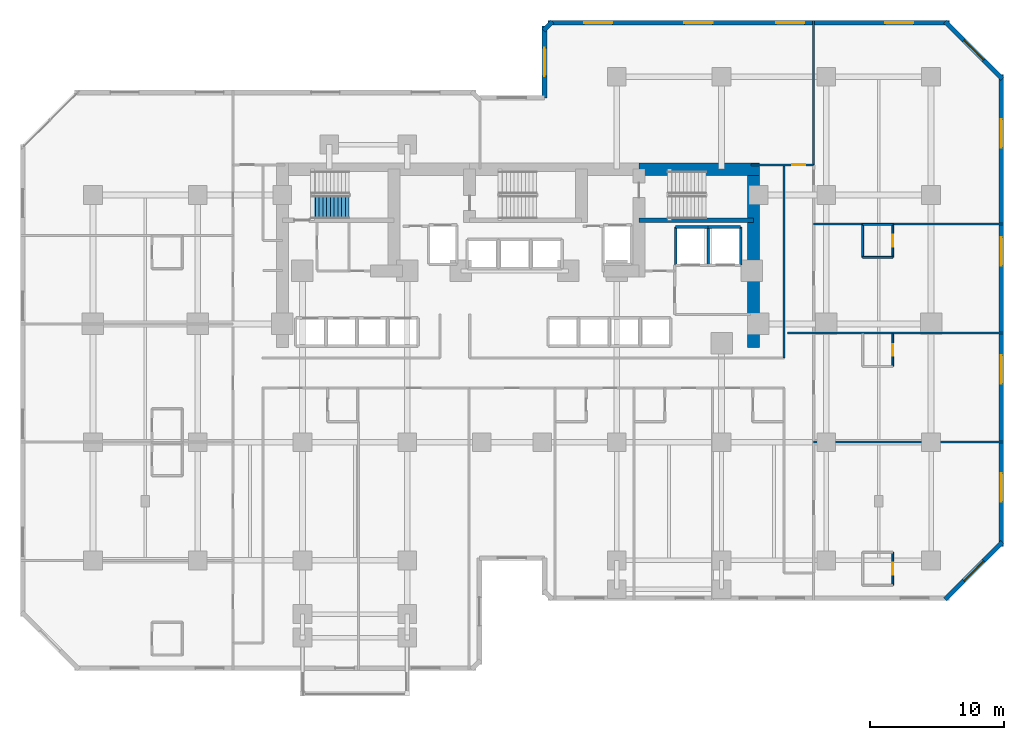
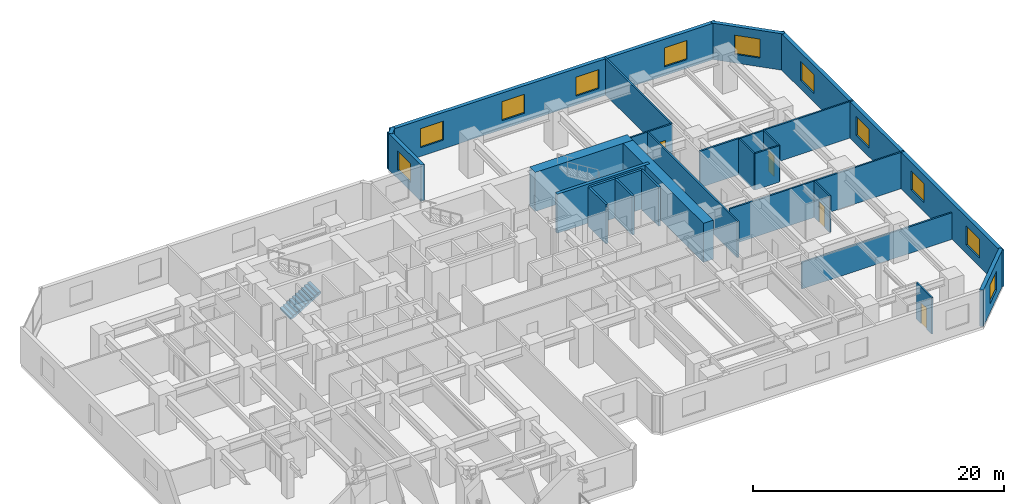
# One storey, part 9 of 12: 27 walls, 11 windows, 4 doors, 1 stair flight, 15 openings, 1 element without a shape of its own.
"""IFC4 building model written with IfcOpenShell, lengths in metres."""

import ifcopenshell
import ifcopenshell.guid

model = None  # the IFC model being written
_history = None  # IfcOwnerHistory: only IFC2X3 demands one
_inside = {}  # id of a spatial element -> (the spatial element, [elements in it])
_under = {}  # id of a project, library or spatial element -> (it, [spatial elements below it])
_declared = {}  # id of a project -> (the project, [libraries it declares])
_typed = {}  # id of a type object -> (the type object, [elements of that type])
_made_of = {}  # id of a material, layer set ... -> (it, [elements and type objects made of it])


def new_model(schema):
    """Start an empty IFC model of exactly this schema.

    Asked for "IFC4X3", IfcOpenShell would pick the latest addendum, in which some entities
    have other attributes; the version numbers below select the first issue.
    IFC2X3 requires an IfcOwnerHistory on every rooted entity: one is made here for all.
    """
    global model, _history
    if schema == "IFC4X3":
        model = ifcopenshell.file(schema_version=(4, 3, 0, 0))
    else:
        model = ifcopenshell.file(schema=schema)
    _inside.clear()
    _under.clear()
    _declared.clear()
    _typed.clear()
    _made_of.clear()
    _history = None
    if model.schema == "IFC2X3":
        org = make("IfcOrganization", Name="unknown")
        user = make(
            "IfcPersonAndOrganization",
            ThePerson=make("IfcPerson", FamilyName="unknown"),
            TheOrganization=org,
        )
        app = make(
            "IfcApplication",
            ApplicationDeveloper=org,
            Version="unknown",
            ApplicationFullName="unknown",
            ApplicationIdentifier="unknown",
        )
        _history = make(
            "IfcOwnerHistory",
            OwningUser=user,
            OwningApplication=app,
            ChangeAction="ADDED",
            CreationDate=0,
        )
    return model


def make(cls, **values):
    """One entity of the class cls with the attributes given. An attribute that is None is left unset."""
    return model.create_entity(
        cls, **{name: value for name, value in values.items() if value is not None}
    )


def rooted(cls, **values):
    """An entity with a GlobalId (a new one), such as an element, a storey or a relation."""
    return make(cls, GlobalId=ifcopenshell.guid.new(), OwnerHistory=_history, **values)


def si_unit(unit_type, name, prefix=None):
    """IfcSIUnit, for example si_unit("LENGTHUNIT", "METRE", prefix="MILLI")."""
    return make("IfcSIUnit", UnitType=unit_type, Prefix=prefix, Name=name)


def assignment(units):
    """IfcUnitAssignment: the units of a project."""
    return None if units is None else make("IfcUnitAssignment", Units=units)


def point(xyz):
    """IfcCartesianPoint."""
    return None if xyz is None else make("IfcCartesianPoint", Coordinates=xyz)


def direction(xyz):
    """IfcDirection."""
    return None if xyz is None else make("IfcDirection", DirectionRatios=xyz)


def frame(location, z_axis=None, x_axis=None):
    """IfcAxis2Placement3D, a coordinate frame: its origin and axes. An axis left out is left unset."""
    return make(
        "IfcAxis2Placement3D",
        Location=point(location),
        Axis=direction(z_axis),
        RefDirection=direction(x_axis),
    )


def frame_2d(location, x_axis=None):
    """IfcAxis2Placement2D, a coordinate frame in the plane: its origin and x axis."""
    return make(
        "IfcAxis2Placement2D", Location=point(location), RefDirection=direction(x_axis)
    )


def origin():
    """The frame at (0, 0, 0) with its axes left unset."""
    return frame((0.0, 0.0, 0.0))


def place(relative_to, where):
    """IfcLocalPlacement: puts the frame where relative to a parent placement (None: the world)."""
    return make(
        "IfcLocalPlacement", PlacementRelTo=relative_to, RelativePlacement=where
    )


def context(
    kind, dimensions, precision=None, world=None, true_north=None, identifier=None
):
    """IfcGeometricRepresentationContext, for example the 3D "Model" context."""
    return make(
        "IfcGeometricRepresentationContext",
        ContextIdentifier=identifier,
        ContextType=kind,
        CoordinateSpaceDimension=dimensions,
        Precision=precision,
        WorldCoordinateSystem=world,
        TrueNorth=true_north,
    )


def subcontext(parent, identifier, kind, view, scale=None):
    """IfcGeometricRepresentationSubContext, for example "Body" below "Model"."""
    return make(
        "IfcGeometricRepresentationSubContext",
        ContextIdentifier=identifier,
        ContextType=kind,
        ParentContext=parent,
        TargetScale=scale,
        TargetView=view,
    )


def project(units=None, contexts=None):
    """IfcProject with its units and contexts."""
    return rooted(
        "IfcProject",
        Name="project",
        RepresentationContexts=contexts,
        UnitsInContext=assignment(units),
    )


def spatial(cls, under=None, at=None, **own):
    """A site, building, storey or space (cls), placed at a placement, below another one or the project."""
    s = rooted(cls, ObjectPlacement=at, **own)
    if under is not None:
        _under.setdefault(under.id(), (under, []))[1].append(s)
    return s


def polyline(points):
    """IfcPolyline through the points."""
    return make("IfcPolyline", Points=[point(p) for p in points])


def profile(cls, at=None, kind="AREA", **sizes):
    """A parametric profile (cls). Its sizes go by their IFC names, for example OverallWidth=200.0."""
    return make(cls, ProfileType=kind, Position=at, **sizes)


def rectangle(**sizes):
    """IfcRectangleProfileDef."""
    return profile("IfcRectangleProfileDef", **sizes)


def outline(outer, holes=None, kind="AREA"):
    """IfcArbitraryClosedProfileDef: a profile drawn as a closed curve; with holes, ...WithVoids."""
    if holes is None:
        return make("IfcArbitraryClosedProfileDef", ProfileType=kind, OuterCurve=outer)
    return make(
        "IfcArbitraryProfileDefWithVoids",
        ProfileType=kind,
        OuterCurve=outer,
        InnerCurves=holes,
    )


def extrude(swept, where, along, depth):
    """IfcExtrudedAreaSolid: the profile swept, set in the frame where, extruded along a direction by depth."""
    return make(
        "IfcExtrudedAreaSolid",
        SweptArea=swept,
        Position=where,
        ExtrudedDirection=direction(along),
        Depth=depth,
    )


def shape(context_of_items, identifier, shape_type, items):
    """IfcShapeRepresentation: the items that make up one representation, for example the "Body"."""
    return make(
        "IfcShapeRepresentation",
        ContextOfItems=context_of_items,
        RepresentationIdentifier=identifier,
        RepresentationType=shape_type,
        Items=items,
    )


def material(Name=None, Category=None):
    """IfcMaterial."""
    return make("IfcMaterial", Name=Name, Category=Category)


def layer(
    of_material, thickness, ventilated=None, Name=None, Category=None, Priority=None
):
    """IfcMaterialLayer: one layer of a wall or slab, of a material (None: an air gap)."""
    return make(
        "IfcMaterialLayer",
        Material=of_material,
        LayerThickness=thickness,
        IsVentilated=ventilated,
        Name=Name,
        Category=Category,
        Priority=Priority,
    )


def layer_set(layers, Name=None):
    """IfcMaterialLayerSet."""
    return make("IfcMaterialLayerSet", MaterialLayers=layers, LayerSetName=Name)


def made_of(thing, what):
    """Note that an element or type object is made of a material, layer set ...; save() writes the relation."""
    if what is not None:
        _made_of.setdefault(what.id(), (what, []))[1].append(thing)
    return thing


def type_object(cls, material=None, **own):
    """A type object (cls), such as IfcWallType, which elements share."""
    return made_of(rooted(cls, **own), material)


def element(
    cls,
    number,
    at=None,
    inside=None,
    cuts=None,
    type_object=None,
    material=None,
    context=None,
    identifier="Body",
    shape_type=None,
    held_by="IfcProductDefinitionShape",
    body=None,
    shapes=None,
    **own,
):
    """One element of the class cls, such as IfcWall. Its Tag is "e" and its number.

    at: its placement. inside: the storey or other place that contains it. cuts: it is an
    opening in that element (IfcRelVoidsElement). A single representation is given by context,
    identifier, shape_type and body (its items); several are given by shapes. held_by: the class
    of the entity that holds the representations. save() writes the other relations.
    """
    e = rooted(cls, Tag="e%d" % number, ObjectPlacement=at, **own)
    if body is not None:
        shapes = [shape(context, identifier, shape_type, body)]
    if shapes is not None:
        e.Representation = make(held_by, Representations=shapes)
    if inside is not None:
        _inside.setdefault(inside.id(), (inside, []))[1].append(e)
    if cuts is not None:
        rooted(
            "IfcRelVoidsElement", RelatingBuildingElement=cuts, RelatedOpeningElement=e
        )
    if type_object is not None:
        _typed.setdefault(type_object.id(), (type_object, []))[1].append(e)
    return made_of(e, material)


def fill(opening, filler):
    """IfcRelFillsElement: the door or window that sits in an opening."""
    return rooted(
        "IfcRelFillsElement",
        RelatingOpeningElement=opening,
        RelatedBuildingElement=filler,
    )


def aggregate(whole, parts):
    """IfcRelAggregates: a whole, such as a stair, and the parts it consists of."""
    return rooted("IfcRelAggregates", RelatingObject=whole, RelatedObjects=parts)


def save(model, path):
    """Write the relations noted so far, then the file.

    IfcRelAggregates (storeys below a building ...), IfcRelContainedInSpatialStructure (elements
    in a storey), IfcRelDefinesByType, IfcRelAssociatesMaterial and IfcRelDeclares: one each for
    every whole, place, type object, material and project.
    """
    for whole, parts in _under.values():
        aggregate(whole, parts)
    for where, things in _inside.values():
        rooted(
            "IfcRelContainedInSpatialStructure",
            RelatedElements=things,
            RelatingStructure=where,
        )
    for kind, things in _typed.values():
        rooted("IfcRelDefinesByType", RelatedObjects=things, RelatingType=kind)
    for what, things in _made_of.values():
        rooted("IfcRelAssociatesMaterial", RelatedObjects=things, RelatingMaterial=what)
    for by, libraries in _declared.values():
        rooted("IfcRelDeclares", RelatingContext=by, RelatedDefinitions=libraries)
    model.write(path)


model = new_model("IFC4")

# Units and contexts
model_context = context("Model", 3, precision=1e-05, world=origin(), true_north=direction((0.0, 1.0)))
body_context = subcontext(model_context, "Body", "Model", "MODEL_VIEW")
ifc_project = project(units=[si_unit("LENGTHUNIT", "METRE"), si_unit("AREAUNIT", "SQUARE_METRE"), si_unit("VOLUMEUNIT", "CUBIC_METRE"), si_unit("PLANEANGLEUNIT", "RADIAN"), si_unit("MASSUNIT", "GRAM", prefix="KILO")], contexts=[model_context])

# Site, building, storey
site_placement = place(None, origin())
site = spatial("IfcSite", under=ifc_project, at=site_placement, CompositionType="ELEMENT")
building_placement = place(site_placement, origin())
building = spatial("IfcBuilding", under=site, at=building_placement, Name="Kestravale Grand Hotel", CompositionType="ELEMENT")
storey_placement = place(building_placement, frame((0.0, 0.0, 67.800048828125)))
storey = spatial("IfcBuildingStorey", under=building, at=storey_placement, Name="L16", CompositionType="ELEMENT", Elevation=67.800048828125)

# Walls
ifc_material_1 = material(Name="Concrete f'c 70 MPa", Category="concrete")
ifc_layer_1 = layer(ifc_material_1, 0.89990234375)
ifc_layer_set_1 = layer_set([ifc_layer_1], Name="EW-CORE-900")
wall_type_1 = type_object("IfcWallType", Name="EW-CORE-900", PredefinedType="SHEAR", material=ifc_layer_set_1)
wall_1_placement = place(storey_placement, frame((48.449951171875, 40.320068359375, 0.0), z_axis=(0.0, 0.0, 1.0), x_axis=(1.0, 0.0, 0.0)))
element("IfcWall", 1, at=wall_1_placement, inside=storey, type_object=wall_type_1, Name="L16 core shear wall N3", PredefinedType="SHEAR", context=body_context, shape_type="SweptSolid", body=[
    extrude(rectangle(XDim=8.969970703125, YDim=0.89990234375, at=frame_2d((4.48486328125, 0.0))), origin(), (0.0, 0.0, 1.0), 3.800048828125),
])
wall_2_placement = place(storey_placement, frame((56.969970703125, 27.050048828125, 0.0), z_axis=(0.0, 0.0, 1.0), x_axis=(0.0, 1.0, 0.0)))
element("IfcWall", 2, at=wall_2_placement, inside=storey, type_object=wall_type_1, Name="L16 core shear wall E1", PredefinedType="SHEAR", context=body_context, shape_type="SweptSolid", body=[
    extrude(rectangle(XDim=13.719970703125, YDim=0.89990234375, at=frame_2d((6.85986328125, 0.0))), origin(), (0.0, 0.0, 1.0), 3.800048828125),
])

# Wall, opening, window
ifc_material_2 = material(Name="Precast concrete f'c 45 MPa", Category="concrete")
ifc_layer_2 = layer(ifc_material_2, 0.340087890625)
ifc_layer_set_2 = layer_set([ifc_layer_2], Name="EW-PREC-340")
wall_type_2 = type_object("IfcWallType", Name="EW-PREC-340", PredefinedType="SOLIDWALL", material=ifc_layer_set_2)
wall_3_placement = place(storey_placement, frame((71.25146484375, 8.2919921875, 0.0), z_axis=(0.0, 0.0, 1.0), x_axis=(0.707106781187, 0.707106781187, 0.0)))
wall_3 = element("IfcWall", 3, at=wall_3_placement, inside=storey, type_object=wall_type_2, Name="L16 fluted precast facade wall 8", PredefinedType="SOLIDWALL", context=body_context, shape_type="SweptSolid", body=[
    extrude(rectangle(XDim=6.019775390625, YDim=0.340087890625, at=frame_2d((3.009765625, 0.0))), origin(), (0.0, 0.0, 1.0), 3.5400390625),
])
opening_1_placement = place(wall_3_placement, frame((1.9599609375, 0.0, 0.85009765625)))
opening_1 = element("IfcOpeningElement", 4, at=opening_1_placement, cuts=wall_3, Name="Opening W-GUEST-2100", PredefinedType="OPENING", context=body_context, shape_type="SweptSolid", body=[
    extrude(rectangle(XDim=2.10009765625, YDim=1.85009765625, at=frame_2d((1.050048828125, 0.925048828125))), frame((0.0, 0.179931640625, 0.0), z_axis=(0.0, -1.0, 0.0), x_axis=(1.0, 0.0, 0.0)), (0.0, 0.0, 1.0), 0.360107421875),
])
ifc_material_3 = material(Name="Insulated low-E double glazing in aluminium frame", Category="aluminium")
window_type = type_object("IfcWindowType", Name="W-GUEST-2100", PartitioningType="DOUBLE_PANEL_VERTICAL", PredefinedType="WINDOW", material=ifc_material_3)
window_1_placement = place(opening_1_placement, origin())
window_1 = element("IfcWindow", 5, at=window_1_placement, inside=storey, type_object=window_type, Name="L16 exterior window 8.1", OverallHeight=1.85009765625, OverallWidth=2.10009765625, PartitioningType="SINGLE_PANEL", PredefinedType="WINDOW", context=body_context, shape_type="SweptSolid", body=[
    extrude(rectangle(XDim=2.10009765625, YDim=1.85009765625, at=frame_2d((1.050048828125, 0.925048828125))), frame((0.0, 0.030029296875, 0.0), z_axis=(0.0, -1.0, 0.0), x_axis=(1.0, 0.0, 0.0)), (0.0, 0.0, 1.0), 0.06005859375),
])
fill(opening_1, window_1)

# Wall, openings, windows
wall_4_placement = place(storey_placement, frame((75.429931640625, 12.22998046875, 0.0), z_axis=(0.0, 0.0, 1.0), x_axis=(0.0, 1.0, 0.0)))
wall_4 = element("IfcWall", 6, at=wall_4_placement, inside=storey, type_object=wall_type_2, Name="L16 fluted precast facade wall 9", PredefinedType="SOLIDWALL", context=body_context, shape_type="SweptSolid", body=[
    extrude(rectangle(XDim=35.14013671875, YDim=0.340087890625, at=frame_2d((17.570068359375, 0.0))), origin(), (0.0, 0.0, 1.0), 3.5400390625),
])
opening_2_placement = place(wall_4_placement, frame((3.342529296875, 0.0, 0.85009765625)))
opening_2 = element("IfcOpeningElement", 7, at=opening_2_placement, cuts=wall_4, Name="Opening W-GUEST-2100", PredefinedType="OPENING", context=body_context, shape_type="SweptSolid", body=[
    extrude(rectangle(XDim=2.10009765625, YDim=1.85009765625, at=frame_2d((1.050048828125, 0.925048828125))), frame((0.0, 0.179931640625, 0.0), z_axis=(0.0, -1.0, 0.0), x_axis=(1.0, 0.0, 0.0)), (0.0, 0.0, 1.0), 0.360107421875),
])
opening_3_placement = place(wall_4_placement, frame((12.12744140625, 0.0, 0.85009765625)))
opening_3 = element("IfcOpeningElement", 8, at=opening_3_placement, cuts=wall_4, Name="Opening W-GUEST-2100", PredefinedType="OPENING", context=body_context, shape_type="SweptSolid", body=[
    extrude(rectangle(XDim=2.10009765625, YDim=1.85009765625, at=frame_2d((1.050048828125, 0.925048828125))), frame((0.0, 0.179931640625, 0.0), z_axis=(0.0, -1.0, 0.0), x_axis=(1.0, 0.0, 0.0)), (0.0, 0.0, 1.0), 0.360107421875),
])
opening_4_placement = place(wall_4_placement, frame((20.91259765625, 0.0, 0.85009765625)))
opening_4 = element("IfcOpeningElement", 9, at=opening_4_placement, cuts=wall_4, Name="Opening W-GUEST-2100", PredefinedType="OPENING", context=body_context, shape_type="SweptSolid", body=[
    extrude(rectangle(XDim=2.10009765625, YDim=1.85009765625, at=frame_2d((1.050048828125, 0.925048828125))), frame((0.0, 0.179931640625, 0.0), z_axis=(0.0, -1.0, 0.0), x_axis=(1.0, 0.0, 0.0)), (0.0, 0.0, 1.0), 0.360107421875),
])
opening_5_placement = place(wall_4_placement, frame((29.697509765625, 0.0, 0.85009765625)))
opening_5 = element("IfcOpeningElement", 10, at=opening_5_placement, cuts=wall_4, Name="Opening W-GUEST-2100", PredefinedType="OPENING", context=body_context, shape_type="SweptSolid", body=[
    extrude(rectangle(XDim=2.10009765625, YDim=1.85009765625, at=frame_2d((1.050048828125, 0.925048828125))), frame((0.0, 0.179931640625, 0.0), z_axis=(0.0, -1.0, 0.0), x_axis=(1.0, 0.0, 0.0)), (0.0, 0.0, 1.0), 0.360107421875),
])
window_2_placement = place(opening_2_placement, origin())
window_2 = element("IfcWindow", 11, at=window_2_placement, inside=storey, type_object=window_type, Name="L16 exterior window 9.1", OverallHeight=1.85009765625, OverallWidth=2.10009765625, PartitioningType="SINGLE_PANEL", PredefinedType="WINDOW", context=body_context, shape_type="SweptSolid", body=[
    extrude(rectangle(XDim=2.10009765625, YDim=1.85009765625, at=frame_2d((1.050048828125, 0.925048828125))), frame((0.0, 0.030029296875, 0.0), z_axis=(0.0, -1.0, 0.0), x_axis=(1.0, 0.0, 0.0)), (0.0, 0.0, 1.0), 0.06005859375),
])
fill(opening_2, window_2)
window_3_placement = place(opening_3_placement, origin())
window_3 = element("IfcWindow", 12, at=window_3_placement, inside=storey, type_object=window_type, Name="L16 exterior window 9.2", OverallHeight=1.85009765625, OverallWidth=2.10009765625, PartitioningType="SINGLE_PANEL", PredefinedType="WINDOW", context=body_context, shape_type="SweptSolid", body=[
    extrude(rectangle(XDim=2.10009765625, YDim=1.85009765625, at=frame_2d((1.050048828125, 0.925048828125))), frame((0.0, 0.030029296875, 0.0), z_axis=(0.0, -1.0, 0.0), x_axis=(1.0, 0.0, 0.0)), (0.0, 0.0, 1.0), 0.06005859375),
])
fill(opening_3, window_3)
window_4_placement = place(opening_4_placement, origin())
window_4 = element("IfcWindow", 13, at=window_4_placement, inside=storey, type_object=window_type, Name="L16 exterior window 9.3", OverallHeight=1.85009765625, OverallWidth=2.10009765625, PartitioningType="SINGLE_PANEL", PredefinedType="WINDOW", context=body_context, shape_type="SweptSolid", body=[
    extrude(rectangle(XDim=2.10009765625, YDim=1.85009765625, at=frame_2d((1.050048828125, 0.925048828125))), frame((0.0, 0.030029296875, 0.0), z_axis=(0.0, -1.0, 0.0), x_axis=(1.0, 0.0, 0.0)), (0.0, 0.0, 1.0), 0.06005859375),
])
fill(opening_4, window_4)
window_5_placement = place(opening_5_placement, origin())
window_5 = element("IfcWindow", 14, at=window_5_placement, inside=storey, type_object=window_type, Name="L16 exterior window 9.4", OverallHeight=1.85009765625, OverallWidth=2.10009765625, PartitioningType="SINGLE_PANEL", PredefinedType="WINDOW", context=body_context, shape_type="SweptSolid", body=[
    extrude(rectangle(XDim=2.10009765625, YDim=1.85009765625, at=frame_2d((1.050048828125, 0.925048828125))), frame((0.0, 0.030029296875, 0.0), z_axis=(0.0, -1.0, 0.0), x_axis=(1.0, 0.0, 0.0)), (0.0, 0.0, 1.0), 0.06005859375),
])
fill(opening_5, window_5)

# Wall, opening, window
wall_5_placement = place(storey_placement, frame((75.508056640625, 47.051513671875, 0.0), z_axis=(0.0, 0.0, 1.0), x_axis=(-0.707106781187, 0.707106781187, 0.0)))
wall_5 = element("IfcWall", 15, at=wall_5_placement, inside=storey, type_object=wall_type_2, Name="L16 fluted precast facade wall 10", PredefinedType="SOLIDWALL", context=body_context, shape_type="SweptSolid", body=[
    extrude(rectangle(XDim=6.019775390625, YDim=0.340087890625, at=frame_2d((3.009765625, 0.0))), origin(), (0.0, 0.0, 1.0), 3.5400390625),
])
opening_6_placement = place(wall_5_placement, frame((1.9599609375, 0.0, 0.85009765625)))
opening_6 = element("IfcOpeningElement", 16, at=opening_6_placement, cuts=wall_5, Name="Opening W-GUEST-2100", PredefinedType="OPENING", context=body_context, shape_type="SweptSolid", body=[
    extrude(rectangle(XDim=2.10009765625, YDim=1.85009765625, at=frame_2d((1.050048828125, 0.925048828125))), frame((0.0, 0.179931640625, 0.0), z_axis=(0.0, -1.0, 0.0), x_axis=(1.0, 0.0, 0.0)), (0.0, 0.0, 1.0), 0.360107421875),
])
window_6_placement = place(opening_6_placement, origin())
window_6 = element("IfcWindow", 17, at=window_6_placement, inside=storey, type_object=window_type, Name="L16 exterior window 10.1", OverallHeight=1.85009765625, OverallWidth=2.10009765625, PartitioningType="SINGLE_PANEL", PredefinedType="WINDOW", context=body_context, shape_type="SweptSolid", body=[
    extrude(rectangle(XDim=2.10009765625, YDim=1.85009765625, at=frame_2d((1.050048828125, 0.925048828125))), frame((0.0, 0.030029296875, 0.0), z_axis=(0.0, -1.0, 0.0), x_axis=(1.0, 0.0, 0.0)), (0.0, 0.0, 1.0), 0.06005859375),
])
fill(opening_6, window_6)

# Wall, openings, windows
wall_6_placement = place(storey_placement, frame((71.570068359375, 51.22998046875, 0.0), z_axis=(0.0, 0.0, 1.0), x_axis=(-1.0, 0.0, 0.0)))
wall_6 = element("IfcWall", 18, at=wall_6_placement, inside=storey, type_object=wall_type_2, Name="L16 fluted precast facade wall 11", PredefinedType="SOLIDWALL", context=body_context, shape_type="SweptSolid", body=[
    extrude(rectangle(XDim=29.89013671875, YDim=0.340087890625, at=frame_2d((14.945068359375, 0.0))), origin(), (0.0, 0.0, 1.0), 3.5400390625),
])
opening_7_placement = place(wall_6_placement, frame((2.686279296875, 0.0, 0.85009765625)))
opening_7 = element("IfcOpeningElement", 19, at=opening_7_placement, cuts=wall_6, Name="Opening W-GUEST-2100", PredefinedType="OPENING", context=body_context, shape_type="SweptSolid", body=[
    extrude(rectangle(XDim=2.10009765625, YDim=1.85009765625, at=frame_2d((1.050048828125, 0.925048828125))), frame((0.0, 0.179931640625, 0.0), z_axis=(0.0, -1.0, 0.0), x_axis=(1.0, 0.0, 0.0)), (0.0, 0.0, 1.0), 0.360107421875),
])
opening_8_placement = place(wall_6_placement, frame((10.80859375, 0.0, 0.85009765625)))
opening_8 = element("IfcOpeningElement", 20, at=opening_8_placement, cuts=wall_6, Name="Opening W-GUEST-2100", PredefinedType="OPENING", context=body_context, shape_type="SweptSolid", body=[
    extrude(rectangle(XDim=2.10009765625, YDim=1.85009765625, at=frame_2d((1.050048828125, 0.925048828125))), frame((0.0, 0.179931640625, 0.0), z_axis=(0.0, -1.0, 0.0), x_axis=(1.0, 0.0, 0.0)), (0.0, 0.0, 1.0), 0.360107421875),
])
opening_9_placement = place(wall_6_placement, frame((17.631103515625, 0.0, 0.85009765625)))
opening_9 = element("IfcOpeningElement", 21, at=opening_9_placement, cuts=wall_6, Name="Opening W-GUEST-2100", PredefinedType="OPENING", context=body_context, shape_type="SweptSolid", body=[
    extrude(rectangle(XDim=2.10009765625, YDim=1.85009765625, at=frame_2d((1.050048828125, 0.925048828125))), frame((0.0, 0.179931640625, 0.0), z_axis=(0.0, -1.0, 0.0), x_axis=(1.0, 0.0, 0.0)), (0.0, 0.0, 1.0), 0.360107421875),
])
opening_10_placement = place(wall_6_placement, frame((25.103759765625, 0.0, 0.85009765625)))
opening_10 = element("IfcOpeningElement", 22, at=opening_10_placement, cuts=wall_6, Name="Opening W-GUEST-2100", PredefinedType="OPENING", context=body_context, shape_type="SweptSolid", body=[
    extrude(rectangle(XDim=2.10009765625, YDim=1.85009765625, at=frame_2d((1.050048828125, 0.925048828125))), frame((0.0, 0.179931640625, 0.0), z_axis=(0.0, -1.0, 0.0), x_axis=(1.0, 0.0, 0.0)), (0.0, 0.0, 1.0), 0.360107421875),
])
window_7_placement = place(opening_7_placement, origin())
window_7 = element("IfcWindow", 23, at=window_7_placement, inside=storey, type_object=window_type, Name="L16 exterior window 11.1", OverallHeight=1.85009765625, OverallWidth=2.10009765625, PartitioningType="SINGLE_PANEL", PredefinedType="WINDOW", context=body_context, shape_type="SweptSolid", body=[
    extrude(rectangle(XDim=2.10009765625, YDim=1.85009765625, at=frame_2d((1.050048828125, 0.925048828125))), frame((0.0, 0.030029296875, 0.0), z_axis=(0.0, -1.0, 0.0), x_axis=(1.0, 0.0, 0.0)), (0.0, 0.0, 1.0), 0.06005859375),
])
fill(opening_7, window_7)
window_8_placement = place(opening_8_placement, origin())
window_8 = element("IfcWindow", 24, at=window_8_placement, inside=storey, type_object=window_type, Name="L16 exterior window 11.2", OverallHeight=1.85009765625, OverallWidth=2.10009765625, PartitioningType="SINGLE_PANEL", PredefinedType="WINDOW", context=body_context, shape_type="SweptSolid", body=[
    extrude(rectangle(XDim=2.10009765625, YDim=1.85009765625, at=frame_2d((1.050048828125, 0.925048828125))), frame((0.0, 0.030029296875, 0.0), z_axis=(0.0, -1.0, 0.0), x_axis=(1.0, 0.0, 0.0)), (0.0, 0.0, 1.0), 0.06005859375),
])
fill(opening_8, window_8)
window_9_placement = place(opening_9_placement, origin())
window_9 = element("IfcWindow", 25, at=window_9_placement, inside=storey, type_object=window_type, Name="L16 exterior window 11.3", OverallHeight=1.85009765625, OverallWidth=2.10009765625, PartitioningType="SINGLE_PANEL", PredefinedType="WINDOW", context=body_context, shape_type="SweptSolid", body=[
    extrude(rectangle(XDim=2.10009765625, YDim=1.85009765625, at=frame_2d((1.050048828125, 0.925048828125))), frame((0.0, 0.030029296875, 0.0), z_axis=(0.0, -1.0, 0.0), x_axis=(1.0, 0.0, 0.0)), (0.0, 0.0, 1.0), 0.06005859375),
])
fill(opening_9, window_9)
window_10_placement = place(opening_10_placement, origin())
window_10 = element("IfcWindow", 26, at=window_10_placement, inside=storey, type_object=window_type, Name="L16 exterior window 11.4", OverallHeight=1.85009765625, OverallWidth=2.10009765625, PartitioningType="SINGLE_PANEL", PredefinedType="WINDOW", context=body_context, shape_type="SweptSolid", body=[
    extrude(rectangle(XDim=2.10009765625, YDim=1.85009765625, at=frame_2d((1.050048828125, 0.925048828125))), frame((0.0, 0.030029296875, 0.0), z_axis=(0.0, -1.0, 0.0), x_axis=(1.0, 0.0, 0.0)), (0.0, 0.0, 1.0), 0.06005859375),
])
fill(opening_10, window_10)

# Wall
wall_7_placement = place(storey_placement, frame((41.99853515625, 51.30810546875, 0.0), z_axis=(0.0, 0.0, 1.0), x_axis=(-0.707238225886, -0.706975312048, 0.0)))
element("IfcWall", 27, at=wall_7_placement, inside=storey, type_object=wall_type_2, Name="L16 fluted precast facade wall 12", PredefinedType="SOLIDWALL", context=body_context, shape_type="SweptSolid", body=[
    extrude(rectangle(XDim=0.9287109375, YDim=0.340087890625, at=frame_2d((0.46435546875, 0.0))), origin(), (0.0, 0.0, 1.0), 3.5400390625),
])

# Wall, opening, window
wall_8_placement = place(storey_placement, frame((41.419921875, 50.969970703125, 0.0), z_axis=(0.0, 0.0, 1.0), x_axis=(0.0, -1.0, 0.0)))
wall_8 = element("IfcWall", 28, at=wall_8_placement, inside=storey, type_object=wall_type_2, Name="L16 fluted precast facade wall 13", PredefinedType="SOLIDWALL", context=body_context, shape_type="SweptSolid", body=[
    extrude(rectangle(XDim=5.340087890625, YDim=0.340087890625, at=frame_2d((2.669921875, 0.0))), origin(), (0.0, 0.0, 1.0), 3.5400390625),
])
opening_11_placement = place(wall_8_placement, frame((1.6201171875, 0.0, 0.85009765625)))
opening_11 = element("IfcOpeningElement", 29, at=opening_11_placement, cuts=wall_8, Name="Opening W-GUEST-2100", PredefinedType="OPENING", context=body_context, shape_type="SweptSolid", body=[
    extrude(rectangle(XDim=2.10009765625, YDim=1.85009765625, at=frame_2d((1.050048828125, 0.925048828125))), frame((0.0, 0.179931640625, 0.0), z_axis=(0.0, -1.0, 0.0), x_axis=(1.0, 0.0, 0.0)), (0.0, 0.0, 1.0), 0.360107421875),
])
window_11_placement = place(opening_11_placement, origin())
window_11 = element("IfcWindow", 30, at=window_11_placement, inside=storey, type_object=window_type, Name="L16 exterior window 13.1", OverallHeight=1.85009765625, OverallWidth=2.10009765625, PartitioningType="SINGLE_PANEL", PredefinedType="WINDOW", context=body_context, shape_type="SweptSolid", body=[
    extrude(rectangle(XDim=2.10009765625, YDim=1.85009765625, at=frame_2d((1.050048828125, 0.925048828125))), frame((0.0, 0.030029296875, 0.0), z_axis=(0.0, -1.0, 0.0), x_axis=(1.0, 0.0, 0.0)), (0.0, 0.0, 1.0), 0.06005859375),
])
fill(opening_11, window_11)

# Walls
ifc_material_4 = material(Name="Concrete f'c 45 MPa", Category="concrete")
ifc_layer_3 = layer(ifc_material_4, 0.300048828125)
ifc_layer_set_3 = layer_set([ifc_layer_3], Name="EW-STAIR-300")
wall_type_3 = type_object("IfcWallType", Name="EW-STAIR-300", PredefinedType="SHEAR", material=ifc_layer_set_3)
wall_9_placement = place(storey_placement, frame((48.449951171875, 36.52001953125, 0.0), z_axis=(0.0, 0.0, 1.0), x_axis=(1.0, 0.0, 0.0)))
element("IfcWall", 31, at=wall_9_placement, inside=storey, type_object=wall_type_3, Name="L16 stair enclosure shear wall SST3", PredefinedType="SHEAR", context=body_context, shape_type="SweptSolid", body=[
    extrude(rectangle(XDim=8.52001953125, YDim=0.300048828125, at=frame_2d((4.260009765625, 0.0))), origin(), (0.0, 0.0, 1.0), 3.800048828125),
])
ifc_material_5 = material(Name="Acoustic fire-rated gypsum board partition", Category="other")
ifc_layer_4 = layer(ifc_material_5, 0.159912109375)
ifc_layer_set_4 = layer_set([ifc_layer_4], Name="IW-CORR-160")
wall_type_4 = type_object("IfcWallType", Name="IW-CORR-160", PredefinedType="PARTITIONING", material=ifc_layer_set_4)
wall_10_placement = place(storey_placement, frame((59.239990234375, 26.260009765625, 0.0), z_axis=(0.0, 0.0, 1.0), x_axis=(0.0, 1.0, 0.0)))
element("IfcWall", 32, at=wall_10_placement, inside=storey, type_object=wall_type_4, Name="W-L16-SE-WU", PredefinedType="PARTITIONING", context=body_context, shape_type="SweptSolid", body=[
    extrude(rectangle(XDim=14.389892578125, YDim=0.159912109375, at=frame_2d((7.19482421875, 0.0))), origin(), (0.0, 0.0, 1.0), 3.5400390625),
])

# Wall, opening, door
ifc_material_6 = material(Name="Moisture-resistant tile-backer plumbing chase wall", Category="other")
ifc_layer_5 = layer(ifc_material_6, 0.139892578125)
ifc_layer_set_5 = layer_set([ifc_layer_5], Name="IW-PLB-140")
wall_type_5 = type_object("IfcWallType", Name="IW-PLB-140", PredefinedType="PLUMBINGWALL", material=ifc_layer_set_5)
wall_11_placement = place(storey_placement, frame((67.35009765625, 9.35009765625, 0.0), z_axis=(0.0, 0.0, 1.0), x_axis=(0.0, 1.0, 0.0)))
wall_11 = element("IfcWall", 33, at=wall_11_placement, inside=storey, type_object=wall_type_5, Name="W-L16-U09-BE", PredefinedType="PLUMBINGWALL", context=body_context, shape_type="SweptSolid", body=[
    extrude(rectangle(XDim=2.449951171875, YDim=0.139892578125, at=frame_2d((1.22509765625, 0.0))), origin(), (0.0, 0.0, 1.0), 3.5400390625),
])
opening_12_placement = place(wall_11_placement, frame((0.784912109375, 0.0, 0.0)))
opening_12 = element("IfcOpeningElement", 34, at=opening_12_placement, cuts=wall_11, Name="Opening D-BATH-880", PredefinedType="OPENING", context=body_context, shape_type="SweptSolid", body=[
    extrude(rectangle(XDim=0.8798828125, YDim=2.050048828125, at=frame_2d((0.43994140625, 1.02490234375))), frame((0.0, 0.079833984375, 0.0), z_axis=(0.0, -1.0, 0.0), x_axis=(1.0, 0.0, 0.0)), (0.0, 0.0, 1.0), 0.159912109375),
])
ifc_material_7 = material(Name="Moisture-sealed walnut en-suite bathroom door", Category="wood")
door_type_1 = type_object("IfcDoorType", Name="D-BATH-880", OperationType="NOTDEFINED", PredefinedType="DOOR", material=ifc_material_7)
door_1_placement = place(opening_12_placement, origin())
door_1 = element("IfcDoor", 35, at=door_1_placement, inside=storey, type_object=door_type_1, Name="D-L16-U09-BATH", OperationType="SINGLE_SWING_RIGHT", OverallHeight=2.050048828125, OverallWidth=0.8798828125, PredefinedType="DOOR", context=body_context, shape_type="SweptSolid", body=[
    extrude(rectangle(XDim=0.8798828125, YDim=2.050048828125, at=frame_2d((0.43994140625, 1.02490234375))), frame((0.0, 0.02490234375, 0.0), z_axis=(0.0, -1.0, 0.0), x_axis=(1.0, 0.0, 0.0)), (0.0, 0.0, 1.0), 0.050048828125),
])
fill(opening_12, door_1)

wall_12_placement = place(storey_placement, frame((67.35009765625, 25.635009765625, 0.0), z_axis=(0.0, 0.0, 1.0), x_axis=(0.0, 1.0, 0.0)))
wall_12 = element("IfcWall", 36, at=wall_12_placement, inside=storey, type_object=wall_type_5, Name="W-L16-U10-BE", PredefinedType="PLUMBINGWALL", context=body_context, shape_type="SweptSolid", body=[
    extrude(rectangle(XDim=2.449951171875, YDim=0.139892578125, at=frame_2d((1.22509765625, 0.0))), origin(), (0.0, 0.0, 1.0), 3.5400390625),
])
opening_13_placement = place(wall_12_placement, frame((0.784912109375, 0.0, 0.0)))
opening_13 = element("IfcOpeningElement", 37, at=opening_13_placement, cuts=wall_12, Name="Opening D-BATH-880", PredefinedType="OPENING", context=body_context, shape_type="SweptSolid", body=[
    extrude(rectangle(XDim=0.8798828125, YDim=2.050048828125, at=frame_2d((0.43994140625, 1.02490234375))), frame((0.0, 0.079833984375, 0.0), z_axis=(0.0, -1.0, 0.0), x_axis=(1.0, 0.0, 0.0)), (0.0, 0.0, 1.0), 0.159912109375),
])
door_2_placement = place(opening_13_placement, origin())
door_2 = element("IfcDoor", 38, at=door_2_placement, inside=storey, type_object=door_type_1, Name="D-L16-U10-BATH", OperationType="SINGLE_SWING_RIGHT", OverallHeight=2.050048828125, OverallWidth=0.8798828125, PredefinedType="DOOR", context=body_context, shape_type="SweptSolid", body=[
    extrude(rectangle(XDim=0.8798828125, YDim=2.050048828125, at=frame_2d((0.43994140625, 1.02490234375))), frame((0.0, 0.02490234375, 0.0), z_axis=(0.0, -1.0, 0.0), x_axis=(1.0, 0.0, 0.0)), (0.0, 0.0, 1.0), 0.050048828125),
])
fill(opening_13, door_2)

# Wall
wall_13_placement = place(storey_placement, frame((65.10009765625, 33.760009765625, 0.0), z_axis=(0.0, 0.0, 1.0), x_axis=(0.0, 1.0, 0.0)))
element("IfcWall", 39, at=wall_13_placement, inside=storey, type_object=wall_type_5, Name="W-L16-U11-BW", PredefinedType="PLUMBINGWALL", context=body_context, shape_type="SweptSolid", body=[
    extrude(rectangle(XDim=2.449951171875, YDim=0.139892578125, at=frame_2d((1.22509765625, 0.0))), origin(), (0.0, 0.0, 1.0), 3.5400390625),
])

# Wall, opening, door
wall_14_placement = place(storey_placement, frame((67.35009765625, 33.760009765625, 0.0), z_axis=(0.0, 0.0, 1.0), x_axis=(0.0, 1.0, 0.0)))
wall_14 = element("IfcWall", 40, at=wall_14_placement, inside=storey, type_object=wall_type_5, Name="W-L16-U11-BE", PredefinedType="PLUMBINGWALL", context=body_context, shape_type="SweptSolid", body=[
    extrude(rectangle(XDim=2.449951171875, YDim=0.139892578125, at=frame_2d((1.22509765625, 0.0))), origin(), (0.0, 0.0, 1.0), 3.5400390625),
])
opening_14_placement = place(wall_14_placement, frame((0.784912109375, 0.0, 0.0)))
opening_14 = element("IfcOpeningElement", 41, at=opening_14_placement, cuts=wall_14, Name="Opening D-BATH-880", PredefinedType="OPENING", context=body_context, shape_type="SweptSolid", body=[
    extrude(rectangle(XDim=0.8798828125, YDim=2.050048828125, at=frame_2d((0.43994140625, 1.02490234375))), frame((0.0, 0.079833984375, 0.0), z_axis=(0.0, -1.0, 0.0), x_axis=(1.0, 0.0, 0.0)), (0.0, 0.0, 1.0), 0.159912109375),
])
door_3_placement = place(opening_14_placement, origin())
door_3 = element("IfcDoor", 42, at=door_3_placement, inside=storey, type_object=door_type_1, Name="D-L16-U11-BATH", OperationType="SINGLE_SWING_RIGHT", OverallHeight=2.050048828125, OverallWidth=0.8798828125, PredefinedType="DOOR", context=body_context, shape_type="SweptSolid", body=[
    extrude(rectangle(XDim=0.8798828125, YDim=2.050048828125, at=frame_2d((0.43994140625, 1.02490234375))), frame((0.0, 0.02490234375, 0.0), z_axis=(0.0, -1.0, 0.0), x_axis=(1.0, 0.0, 0.0)), (0.0, 0.0, 1.0), 0.050048828125),
])
fill(opening_14, door_3)

# Walls
for number, where, z_axis, x_axis, name in (
    (43, (65.10009765625, 33.760009765625, 0.0), (0.0, 0.0, 1.0), (1.0, 0.0, 0.0), "W-L16-U11-BS"),
    (44, (65.10009765625, 36.2099609375, 0.0), (0.0, 0.0, 1.0), (1.0, 0.0, 0.0), "W-L16-U11-BN"),
):
    element("IfcWall", number, at=place(storey_placement, frame(where, z_axis=z_axis, x_axis=x_axis)), inside=storey, type_object=wall_type_5, Name=name, PredefinedType="PLUMBINGWALL", context=body_context, shape_type="SweptSolid", body=[
        extrude(rectangle(XDim=2.25, YDim=0.139892578125, at=frame_2d((1.125, 0.0))), origin(), (0.0, 0.0, 1.0), 3.5400390625),
    ])
ifc_material_8 = material(Name="Concrete f'c 45 MPa", Category="concrete")
ifc_layer_6 = layer(ifc_material_8, 0.199951171875)
ifc_layer_set_6 = layer_set([ifc_layer_6], Name="IW-SHAFT-200")
wall_type_6 = type_object("IfcWallType", Name="IW-SHAFT-200", PredefinedType="SHEAR", material=ifc_layer_set_6)
for number, where, z_axis, x_axis, name in (
    (45, (51.179931640625, 33.169921875, 0.0), (0.0, 0.0, 1.0), (0.0, 1.0, 0.0), "L16 SL-1 west shaft wall"),
    (46, (53.60009765625, 33.169921875, 0.0), (0.0, 0.0, 1.0), (0.0, 1.0, 0.0), "L16 SL-2 west shaft wall"),
    (47, (56.02001953125, 33.169921875, 0.0), (0.0, 0.0, 1.0), (0.0, 1.0, 0.0), "L16 SL-2 east shaft wall"),
):
    element("IfcWall", number, at=place(storey_placement, frame(where, z_axis=z_axis, x_axis=x_axis)), inside=storey, type_object=wall_type_6, Name=name, PredefinedType="SHEAR", context=body_context, shape_type="SweptSolid", body=[
        extrude(rectangle(XDim=2.860107421875, YDim=0.199951171875, at=frame_2d((1.43017578125, 0.0))), origin(), (0.0, 0.0, 1.0), 3.800048828125),
    ])
ifc_material_9 = material(Name="Concrete f'c 45 MPa", Category="concrete")
ifc_layer_7 = layer(ifc_material_9, 0.219970703125)
ifc_layer_set_7 = layer_set([ifc_layer_7], Name="IW-SHAFT-220")
wall_type_7 = type_object("IfcWallType", Name="IW-SHAFT-220", PredefinedType="SHEAR", material=ifc_layer_set_7)
wall_15_placement = place(storey_placement, frame((51.179931640625, 36.030029296875, 0.0), z_axis=(0.0, 0.0, 1.0), x_axis=(1.0, 0.0, 0.0)))
element("IfcWall", 48, at=wall_15_placement, inside=storey, type_object=wall_type_7, Name="L16 SL-1 north shaft wall", PredefinedType="SHEAR", context=body_context, shape_type="SweptSolid", body=[
    extrude(rectangle(XDim=2.420166015625, YDim=0.219970703125, at=frame_2d((1.2099609375, 0.0))), origin(), (0.0, 0.0, 1.0), 3.800048828125),
])
wall_16_placement = place(storey_placement, frame((53.60009765625, 36.030029296875, 0.0), z_axis=(0.0, 0.0, 1.0), x_axis=(1.0, 0.0, 0.0)))
element("IfcWall", 49, at=wall_16_placement, inside=storey, type_object=wall_type_7, Name="L16 SL-2 north shaft wall", PredefinedType="SHEAR", context=body_context, shape_type="SweptSolid", body=[
    extrude(rectangle(XDim=2.419921875, YDim=0.219970703125, at=frame_2d((1.2099609375, 0.0))), origin(), (0.0, 0.0, 1.0), 3.800048828125),
])

# Wall, opening, door
ifc_material_10 = material(Name="Double-stud STC 52 acoustic demising partition", Category="other")
ifc_layer_8 = layer(ifc_material_10, 0.14990234375)
ifc_layer_set_8 = layer_set([ifc_layer_8], Name="IW-UNIT-150")
wall_type_8 = type_object("IfcWallType", Name="IW-UNIT-150", PredefinedType="PARTITIONING", material=ifc_layer_set_8)
wall_17_placement = place(storey_placement, frame((56.800048828125, 40.64990234375, 0.0), z_axis=(0.0, 0.0, 1.0), x_axis=(1.0, 0.0, 0.0)))
wall_17 = element("IfcWall", 50, at=wall_17_placement, inside=storey, type_object=wall_type_8, Name="W-L16-SE-N", PredefinedType="PARTITIONING", context=body_context, shape_type="SweptSolid", body=[
    extrude(rectangle(XDim=4.659912109375, YDim=0.14990234375, at=frame_2d((2.330078125, 0.0))), origin(), (0.0, 0.0, 1.0), 3.5400390625),
])
opening_15_placement = place(wall_17_placement, frame((3.050048828125, 0.0, 0.0)))
opening_15 = element("IfcOpeningElement", 51, at=opening_15_placement, cuts=wall_17, Name="Opening D-GUEST-1000", PredefinedType="OPENING", context=body_context, shape_type="SweptSolid", body=[
    extrude(rectangle(XDim=1.0, YDim=2.14990234375, at=frame_2d((0.5, 1.074951171875))), frame((0.0, 0.0849609375, 0.0), z_axis=(0.0, -1.0, 0.0), x_axis=(1.0, 0.0, 0.0)), (0.0, 0.0, 1.0), 0.169921875),
])
ifc_material_11 = material(Name="Accessible walnut veneer hotel entrance fire door", Category="wood")
door_type_2 = type_object("IfcDoorType", Name="D-GUEST-1000", OperationType="NOTDEFINED", PredefinedType="DOOR", material=ifc_material_11)
door_4_placement = place(opening_15_placement, origin())
door_4 = element("IfcDoor", 52, at=door_4_placement, inside=storey, type_object=door_type_2, Name="L16 NE Gallery Door", OperationType="SINGLE_SWING_LEFT", OverallHeight=2.14990234375, OverallWidth=1.0, PredefinedType="DOOR", context=body_context, shape_type="SweptSolid", body=[
    extrude(rectangle(XDim=1.0, YDim=2.14990234375, at=frame_2d((0.5, 1.074951171875))), frame((0.0, 0.02490234375, 0.0), z_axis=(0.0, -1.0, 0.0), x_axis=(1.0, 0.0, 0.0)), (0.0, 0.0, 1.0), 0.050048828125),
])
fill(opening_15, door_4)

# Walls
wall_18_placement = place(storey_placement, frame((61.4599609375, 40.64990234375, 0.0), z_axis=(0.0, 0.0, 1.0), x_axis=(0.0, 1.0, 0.0)))
element("IfcWall", 53, at=wall_18_placement, inside=storey, type_object=wall_type_8, Name="W-L16-NGE-E", PredefinedType="PARTITIONING", context=body_context, shape_type="SweptSolid", body=[
    extrude(rectangle(XDim=10.72998046875, YDim=0.14990234375, at=frame_2d((5.364990234375, 0.0))), origin(), (0.0, 0.0, 1.0), 3.5400390625),
])
wall_19_placement = place(storey_placement, frame((61.4599609375, 20.0, 0.0), z_axis=(0.0, 0.0, 1.0), x_axis=(1.0, 0.0, 0.0)))
element("IfcWall", 54, at=wall_19_placement, inside=storey, type_object=wall_type_8, Name="W-L16-EW-1", PredefinedType="PARTITIONING", context=body_context, shape_type="SweptSolid", body=[
    extrude(rectangle(XDim=14.1201171875, YDim=0.14990234375, at=frame_2d((7.06005859375, 0.0))), origin(), (0.0, 0.0, 1.0), 2.593017578125),
])
wall_20_placement = place(storey_placement, frame((59.510009765625, 28.125, 0.0), z_axis=(0.0, 0.0, 1.0), x_axis=(1.0, 0.0, 0.0)))
element("IfcWall", 55, at=wall_20_placement, inside=storey, type_object=wall_type_8, Name="W-L16-ASPL-10", PredefinedType="PARTITIONING", context=body_context, shape_type="SweptSolid", body=[
    extrude(rectangle(XDim=16.070068359375, YDim=0.14990234375, at=frame_2d((8.03515625, 0.0))), origin(), (0.0, 0.0, 1.0), 3.5400390625),
])
wall_21_placement = place(storey_placement, frame((61.4599609375, 36.25, 0.0), z_axis=(0.0, 0.0, 1.0), x_axis=(1.0, 0.0, 0.0)))
element("IfcWall", 56, at=wall_21_placement, inside=storey, type_object=wall_type_8, Name="W-L16-EW-2", PredefinedType="PARTITIONING", context=body_context, shape_type="SweptSolid", body=[
    extrude(rectangle(XDim=3.64013671875, YDim=0.14990234375, at=frame_2d((1.820068359375, 0.0))), origin(), (0.0, 0.0, 1.0), 3.5400390625),
])
wall_22_placement = place(storey_placement, frame((67.35009765625, 36.25, 0.0), z_axis=(0.0, 0.0, 1.0), x_axis=(1.0, 0.0, 0.0)))
element("IfcWall", 57, at=wall_22_placement, inside=storey, type_object=wall_type_8, Name="W-L16-EW-2", PredefinedType="PARTITIONING", context=body_context, shape_type="SweptSolid", body=[
    extrude(rectangle(XDim=8.22998046875, YDim=0.14990234375, at=frame_2d((4.114990234375, 0.0))), origin(), (0.0, 0.0, 1.0), 3.5400390625),
])

# Stair, stair flight
ifc_material_12 = material(Name="Concrete f'c 45 MPa", Category="concrete")
stair_type = type_object("IfcStairType", Name="ST-CORE-380", PredefinedType="HALF_TURN_STAIR", material=ifc_material_12)
stair_placement = place(storey_placement, origin())
stair = element("IfcStair", 58, at=stair_placement, inside=storey, type_object=stair_type, Name="L16 ST-1", PredefinedType="HALF_TURN_STAIR")
ifc_material_13 = material(Name="Concrete f'c 45 MPa", Category="concrete")
stair_flight_type = type_object("IfcStairFlightType", Name="STF-CORE-380", PredefinedType="STRAIGHT", material=ifc_material_13)
stair_flight_placement = place(storey_placement, frame((24.080078125, 37.489990234375, 0.0), z_axis=(0.0, 0.0, 1.0), x_axis=(1.0, 0.0, 0.0)))
stair_flight = element("IfcStairFlight", 59, at=stair_flight_placement, type_object=stair_flight_type, Name="ST-1 flight 1", NumberOfRisers=11, NumberOfTreads=10, PredefinedType="STRAIGHT", RiserHeight=0.172727273, TreadLength=0.28, context=body_context, shape_type="SweptSolid", body=[
    extrude(outline(polyline([(0.0, 0.0), (0.0, 0.172607421875), (0.280029296875, 0.172607421875), (0.280029296875, 0.345458984375), (0.56005859375, 0.345458984375), (0.56005859375, 0.51806640625), (0.840087890625, 0.51806640625), (0.840087890625, 0.69091796875), (1.1201171875, 0.69091796875), (1.1201171875, 0.863525390625), (1.39990234375, 0.863525390625), (1.39990234375, 1.036376953125), (1.679931640625, 1.036376953125), (1.679931640625, 1.208984375), (1.9599609375, 1.208984375), (1.9599609375, 1.3818359375), (2.239990234375, 1.3818359375), (2.239990234375, 1.554443359375), (2.52001953125, 1.554443359375), (2.52001953125, 1.727294921875), (2.800048828125, 1.727294921875), (2.800048828125, 1.89990234375), (2.800048828125, 1.551025390625), (0.285400390625, 0.0), (0.0, 0.0)])), frame((0.0, 0.83984375, 0.0), z_axis=(0.0, -1.0, 0.0), x_axis=(1.0, 0.0, 0.0)), (0.0, 0.0, 1.0), 1.679931640625),
])
aggregate(stair, [stair_flight])

save(model, "model.ifc")
